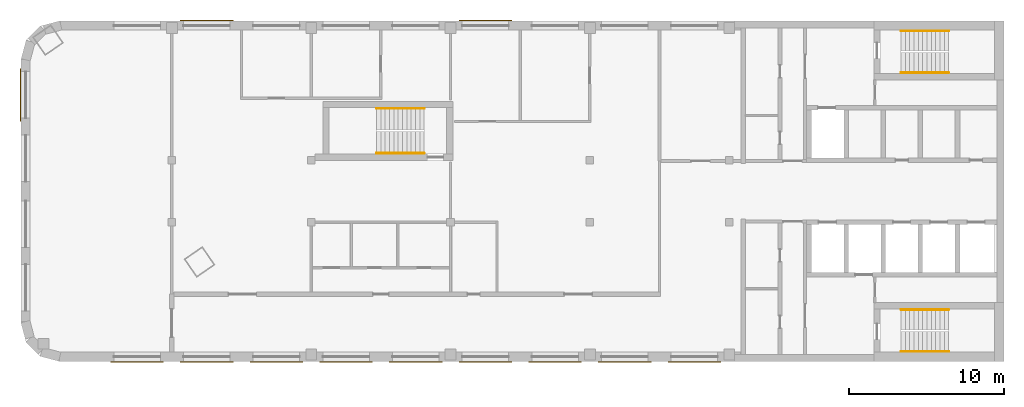
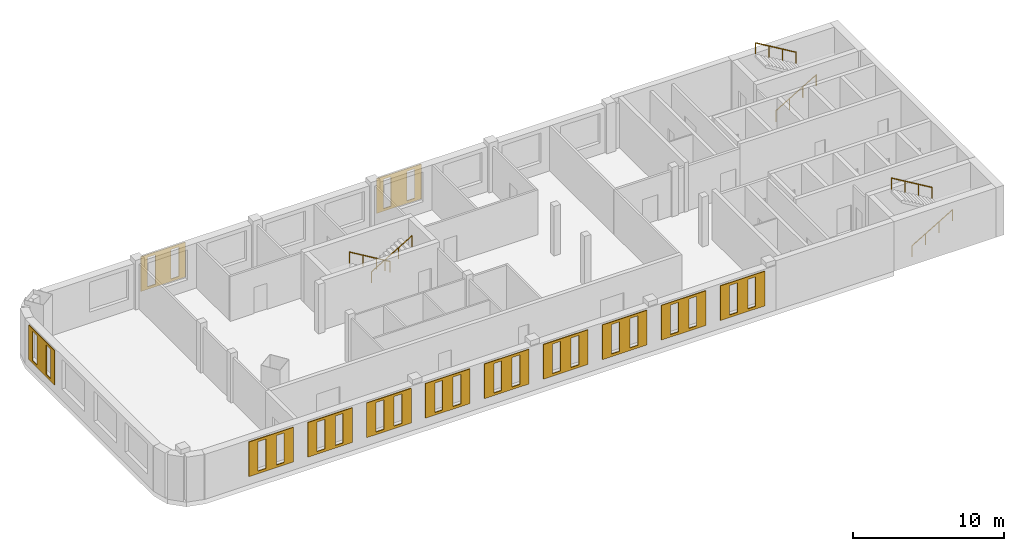
# One storey, part 6 of 6: 12 coverings, 6 railings.
"""IFC4 building model written with IfcOpenShell, lengths in metres."""

from ifc_helpers import new_model, si_unit, direction, frame, origin, origin_2d, place, context, subcontext, project, spatial, polyline, circle, outline, extrude, material, material_profile, profile_set, type_object, element, save


model = new_model("IFC4")

# Units and contexts
model_context = context("Model", 3, precision=1e-05, world=origin(), true_north=direction((0.0, 1.0)))
body_context = subcontext(model_context, "Body", "Model", "MODEL_VIEW")
ifc_project = project(units=[si_unit("LENGTHUNIT", "METRE"), si_unit("AREAUNIT", "SQUARE_METRE"), si_unit("VOLUMEUNIT", "CUBIC_METRE"), si_unit("PLANEANGLEUNIT", "RADIAN"), si_unit("MASSUNIT", "GRAM", prefix="KILO")], contexts=[model_context])

# Site, building, storey
site_placement = place(None, origin())
site = spatial("IfcSite", under=ifc_project, at=site_placement, CompositionType="ELEMENT")
building_placement = place(site_placement, origin())
building = spatial("IfcBuilding", under=site, at=building_placement, Name="Skarvind Civic Tower", CompositionType="ELEMENT")
storey_placement = place(building_placement, frame((0.0, 0.0, 269.5)))
storey = spatial("IfcBuildingStorey", under=building, at=storey_placement, Name="L64", CompositionType="ELEMENT", Elevation=269.5)

# Railings
ifc_material_1 = material(Name="Painted steel handrail", Category="steel")
railing_type = type_object("IfcRailingType", Name="Stair handrail 900", PredefinedType="HANDRAIL", material=ifc_material_1)
railing_1_placement = place(storey_placement, frame((101.35009765625, 135.64990234375, 0.166748046875)))
element("IfcRailing", 1, at=railing_1_placement, inside=storey, type_object=railing_type, Name="Stair handrail", PredefinedType="HANDRAIL", context=body_context, shape_type="SweptSolid", body=[
    extrude(circle(Radius=0.02392578125, at=origin_2d()), frame((0.0, 0.0, 0.8759765625), z_axis=(0.859290745958, 0.0, 0.51148745235), x_axis=(0.0, 1.0, 0.0)), (0.0, 0.0, 1.0), 3.584228515625),
    extrude(circle(Radius=0.02099609375, at=origin_2d()), origin(), (0.0, 0.0, 1.0), 0.851806640625),
    extrude(circle(Radius=0.02099609375, at=origin_2d()), frame((1.026611328125, 0.0, 0.611083984375)), (0.0, 0.0, 1.0), 0.851806640625),
    extrude(circle(Radius=0.02099609375, at=origin_2d()), frame((2.05322265625, 0.0, 1.22216796875)), (0.0, 0.0, 1.0), 0.851806640625),
    extrude(circle(Radius=0.02099609375, at=origin_2d()), frame((3.079833984375, 0.0, 1.833251953125)), (0.0, 0.0, 1.0), 0.851806640625),
])
railing_2_placement = place(storey_placement, frame((104.429931640625, 138.35009765625, 2.166748046875)))
element("IfcRailing", 2, at=railing_2_placement, inside=storey, type_object=railing_type, Name="Stair handrail", PredefinedType="HANDRAIL", context=body_context, shape_type="SweptSolid", body=[
    extrude(circle(Radius=0.02392578125, at=origin_2d()), frame((0.0, 0.0, 0.8759765625), z_axis=(-0.859290745958, 0.0, 0.51148745235), x_axis=(0.0, -1.0, 0.0)), (0.0, 0.0, 1.0), 3.584228515625),
    extrude(circle(Radius=0.02099609375, at=origin_2d()), origin(), (0.0, 0.0, 1.0), 0.851806640625),
    extrude(circle(Radius=0.02099609375, at=origin_2d()), frame((-1.026611328125, 0.0, 0.611083984375)), (0.0, 0.0, 1.0), 0.851806640625),
    extrude(circle(Radius=0.02099609375, at=origin_2d()), frame((-2.05322265625, 0.0, 1.22216796875)), (0.0, 0.0, 1.0), 0.851806640625),
    extrude(circle(Radius=0.02099609375, at=origin_2d()), frame((-3.079833984375, 0.0, 1.833251953125)), (0.0, 0.0, 1.0), 0.851806640625),
])
railing_3_placement = place(storey_placement, frame((101.35009765625, 117.64990234375, 0.166748046875)))
element("IfcRailing", 3, at=railing_3_placement, inside=storey, type_object=railing_type, Name="Stair handrail", PredefinedType="HANDRAIL", context=body_context, shape_type="SweptSolid", body=[
    extrude(circle(Radius=0.02392578125, at=origin_2d()), frame((0.0, 0.0, 0.8759765625), z_axis=(0.859290745958, 0.0, 0.51148745235), x_axis=(0.0, 1.0, 0.0)), (0.0, 0.0, 1.0), 3.584228515625),
    extrude(circle(Radius=0.02099609375, at=origin_2d()), origin(), (0.0, 0.0, 1.0), 0.851806640625),
    extrude(circle(Radius=0.02099609375, at=origin_2d()), frame((1.026611328125, 0.0, 0.611083984375)), (0.0, 0.0, 1.0), 0.851806640625),
    extrude(circle(Radius=0.02099609375, at=origin_2d()), frame((2.05322265625, 0.0, 1.22216796875)), (0.0, 0.0, 1.0), 0.851806640625),
    extrude(circle(Radius=0.02099609375, at=origin_2d()), frame((3.079833984375, 0.0, 1.833251953125)), (0.0, 0.0, 1.0), 0.851806640625),
])
railing_4_placement = place(storey_placement, frame((104.429931640625, 120.35009765625, 2.166748046875)))
element("IfcRailing", 4, at=railing_4_placement, inside=storey, type_object=railing_type, Name="Stair handrail", PredefinedType="HANDRAIL", context=body_context, shape_type="SweptSolid", body=[
    extrude(circle(Radius=0.02392578125, at=origin_2d()), frame((0.0, 0.0, 0.8759765625), z_axis=(-0.859290745958, 0.0, 0.51148745235), x_axis=(0.0, -1.0, 0.0)), (0.0, 0.0, 1.0), 3.584228515625),
    extrude(circle(Radius=0.02099609375, at=origin_2d()), origin(), (0.0, 0.0, 1.0), 0.851806640625),
    extrude(circle(Radius=0.02099609375, at=origin_2d()), frame((-1.026611328125, 0.0, 0.611083984375)), (0.0, 0.0, 1.0), 0.851806640625),
    extrude(circle(Radius=0.02099609375, at=origin_2d()), frame((-2.05322265625, 0.0, 1.22216796875)), (0.0, 0.0, 1.0), 0.851806640625),
    extrude(circle(Radius=0.02099609375, at=origin_2d()), frame((-3.079833984375, 0.0, 1.833251953125)), (0.0, 0.0, 1.0), 0.851806640625),
])
railing_5_placement = place(storey_placement, frame((70.550048828125, 133.35009765625, 0.166748046875)))
element("IfcRailing", 5, at=railing_5_placement, inside=storey, type_object=railing_type, Name="Stair handrail", PredefinedType="HANDRAIL", context=body_context, shape_type="SweptSolid", body=[
    extrude(circle(Radius=0.02392578125, at=origin_2d()), frame((0.0, 0.0, 0.8759765625), z_axis=(-0.859308565015, 0.0, 0.511457515432), x_axis=(0.0, -1.0, 0.0)), (0.0, 0.0, 1.0), 3.58447265625),
    extrude(circle(Radius=0.02099609375, at=origin_2d()), origin(), (0.0, 0.0, 1.0), 0.851806640625),
    extrude(circle(Radius=0.02099609375, at=origin_2d()), frame((-1.026611328125, 0.0, 0.611083984375)), (0.0, 0.0, 1.0), 0.851806640625),
    extrude(circle(Radius=0.02099609375, at=origin_2d()), frame((-2.053466796875, 0.0, 1.22216796875)), (0.0, 0.0, 1.0), 0.851806640625),
    extrude(circle(Radius=0.02099609375, at=origin_2d()), frame((-3.080078125, 0.0, 1.833251953125)), (0.0, 0.0, 1.0), 0.851806640625),
])
railing_6_placement = place(storey_placement, frame((67.469970703125, 130.449951171875, 2.166748046875)))
element("IfcRailing", 6, at=railing_6_placement, inside=storey, type_object=railing_type, Name="Stair handrail", PredefinedType="HANDRAIL", context=body_context, shape_type="SweptSolid", body=[
    extrude(circle(Radius=0.02392578125, at=origin_2d()), frame((0.0, 0.0, 0.8759765625), z_axis=(0.859308565015, 0.0, 0.511457515432), x_axis=(0.0, 1.0, 0.0)), (0.0, 0.0, 1.0), 3.58447265625),
    extrude(circle(Radius=0.02099609375, at=origin_2d()), origin(), (0.0, 0.0, 1.0), 0.851806640625),
    extrude(circle(Radius=0.02099609375, at=origin_2d()), frame((1.026611328125, 0.0, 0.611083984375)), (0.0, 0.0, 1.0), 0.851806640625),
    extrude(circle(Radius=0.02099609375, at=origin_2d()), frame((2.053466796875, 0.0, 1.22216796875)), (0.0, 0.0, 1.0), 0.851806640625),
    extrude(circle(Radius=0.02099609375, at=origin_2d()), frame((3.080078125, 0.0, 1.833251953125)), (0.0, 0.0, 1.0), 0.851806640625),
])

# Coverings
ifc_material_2 = material(Name="Terracotta", Category="masonry")
ifc_material_profile_1 = material_profile(ifc_material_2, outline(polyline([(-1.699951171875, -1.39990234375), (1.699951171875, -1.39990234375), (1.699951171875, 1.39990234375), (-1.699951171875, 1.39990234375), (-1.699951171875, -1.39990234375)]), holes=[polyline([(-1.0, -1.18994140625), (-0.39990234375, -1.18994140625), (-0.39990234375, 1.18994140625), (-1.0, 1.18994140625), (-1.0, -1.18994140625)]), polyline([(0.39990234375, -1.18994140625), (1.0, -1.18994140625), (1.0, 1.18994140625), (0.39990234375, 1.18994140625), (0.39990234375, -1.18994140625)])]), Name="TERRACOTTA SCREEN 3400 x 2800, SLIT PITCH 1400")
ifc_profile_set_1 = profile_set([ifc_material_profile_1], Name="Terracotta")
covering_type_1 = type_object("IfcCoveringType", Name="TERRACOTTA SCREEN 3400 x 2800, SLIT PITCH 1400", PredefinedType="CLADDING", material=ifc_profile_set_1)
for number, where, z_axis, x_axis, name in (
    (7, (88.0, 117.0, 2.10009765625), (0.0, -1.0, 0.0), (1.0, 0.0, 0.0), "TERRACOTTA SCREEN"),
    (8, (83.5, 117.0, 2.10009765625), (0.0, -1.0, 0.0), (1.0, 0.0, 0.0), "TERRACOTTA SCREEN"),
    (9, (79.0, 117.0, 2.10009765625), (0.0, -1.0, 0.0), (1.0, 0.0, 0.0), "TERRACOTTA SCREEN"),
    (10, (74.5, 117.0, 2.10009765625), (0.0, -1.0, 0.0), (1.0, 0.0, 0.0), "TERRACOTTA SCREEN"),
    (11, (70.0, 117.0, 2.10009765625), (0.0, -1.0, 0.0), (1.0, 0.0, 0.0), "TERRACOTTA SCREEN"),
    (12, (65.5, 117.0, 2.10009765625), (0.0, -1.0, 0.0), (1.0, 0.0, 0.0), "TERRACOTTA SCREEN"),
    (13, (61.0, 117.0, 2.10009765625), (0.0, -1.0, 0.0), (1.0, 0.0, 0.0), "TERRACOTTA SCREEN"),
    (14, (56.5, 117.0, 2.10009765625), (0.0, -1.0, 0.0), (1.0, 0.0, 0.0), "TERRACOTTA SCREEN"),
    (15, (52.0, 117.0, 2.10009765625), (0.0, -1.0, 0.0), (1.0, 0.0, 0.0), "TERRACOTTA SCREEN"),
):
    element("IfcCovering", number, at=place(storey_placement, frame(where, z_axis=z_axis, x_axis=x_axis)), inside=storey, type_object=covering_type_1, Name=name, PredefinedType="CLADDING", context=body_context, shape_type="SweptSolid", body=[
        extrude(outline(polyline([(-1.699951171875, -1.39990234375), (1.699951171875, -1.39990234375), (1.699951171875, 1.39990234375), (-1.699951171875, 1.39990234375), (-1.699951171875, -1.39990234375)]), holes=[polyline([(-1.0, -1.18994140625), (-0.39990234375, -1.18994140625), (-0.39990234375, 1.18994140625), (-1.0, 1.18994140625), (-1.0, -1.18994140625)]), polyline([(0.39990234375, -1.18994140625), (1.0, -1.18994140625), (1.0, 1.18994140625), (0.39990234375, 1.18994140625), (0.39990234375, -1.18994140625)])]), origin(), (0.0, 0.0, 1.0), 0.06005859375),
    ])
ifc_material_profile_2 = material_profile(ifc_material_2, outline(polyline([(-1.699951171875, -1.39990234375), (1.699951171875, -1.39990234375), (1.699951171875, 1.39990234375), (-1.699951171875, 1.39990234375), (-1.699951171875, -1.39990234375)]), holes=[polyline([(-1.199951171875, -1.18994140625), (-0.60009765625, -1.18994140625), (-0.60009765625, 1.18994140625), (-1.199951171875, 1.18994140625), (-1.199951171875, -1.18994140625)]), polyline([(0.60009765625, -1.18994140625), (1.199951171875, -1.18994140625), (1.199951171875, 1.18994140625), (0.60009765625, 1.18994140625), (0.60009765625, -1.18994140625)])]), Name="TERRACOTTA SCREEN 3400 x 2800, SLIT PITCH 1800")
ifc_profile_set_2 = profile_set([ifc_material_profile_2], Name="Terracotta")
covering_type_2 = type_object("IfcCoveringType", Name="TERRACOTTA SCREEN 3400 x 2800, SLIT PITCH 1800", PredefinedType="CLADDING", material=ifc_profile_set_2)
for number, where, z_axis, x_axis, name in (
    (16, (56.5, 139.0, 2.10009765625), (0.0, 1.0, 0.0), (-1.0, 0.0, 0.0), "TERRACOTTA SCREEN"),
    (17, (74.5, 139.0, 2.10009765625), (0.0, 1.0, 0.0), (-1.0, 0.0, 0.0), "TERRACOTTA SCREEN"),
    (18, (44.5, 134.22509765625, 2.10009765625), (-1.0, 0.0, 0.0), (0.0, -1.0, 0.0), "TERRACOTTA SCREEN"),
):
    element("IfcCovering", number, at=place(storey_placement, frame(where, z_axis=z_axis, x_axis=x_axis)), inside=storey, type_object=covering_type_2, Name=name, PredefinedType="CLADDING", context=body_context, shape_type="SweptSolid", body=[
        extrude(outline(polyline([(-1.699951171875, -1.39990234375), (1.699951171875, -1.39990234375), (1.699951171875, 1.39990234375), (-1.699951171875, 1.39990234375), (-1.699951171875, -1.39990234375)]), holes=[polyline([(-1.199951171875, -1.18994140625), (-0.60009765625, -1.18994140625), (-0.60009765625, 1.18994140625), (-1.199951171875, 1.18994140625), (-1.199951171875, -1.18994140625)]), polyline([(0.60009765625, -1.18994140625), (1.199951171875, -1.18994140625), (1.199951171875, 1.18994140625), (0.60009765625, 1.18994140625), (0.60009765625, -1.18994140625)])]), origin(), (0.0, 0.0, 1.0), 0.06005859375),
    ])

save(model, "model.ifc")
